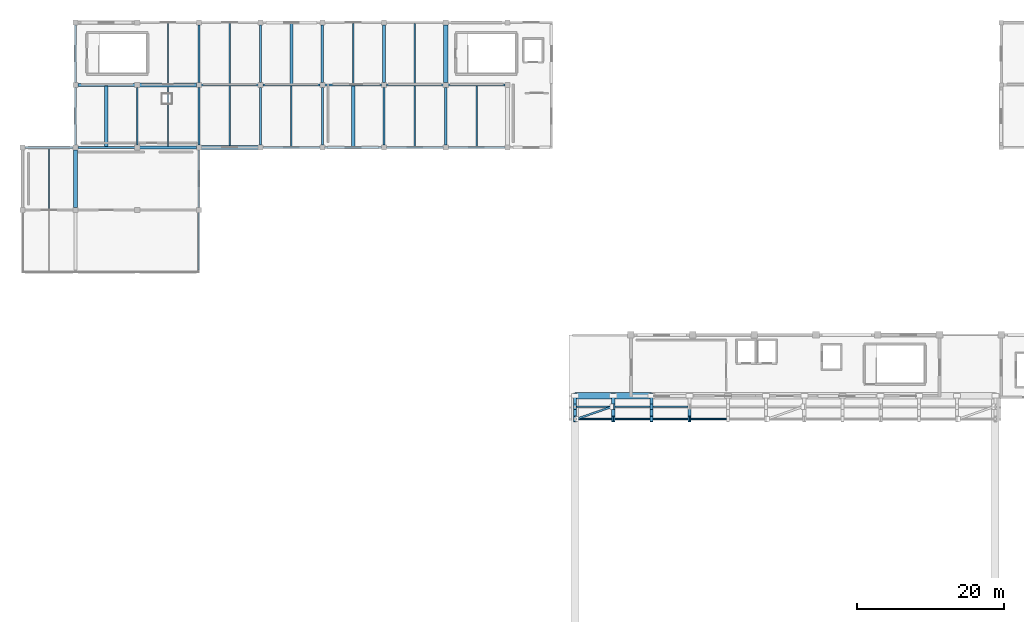
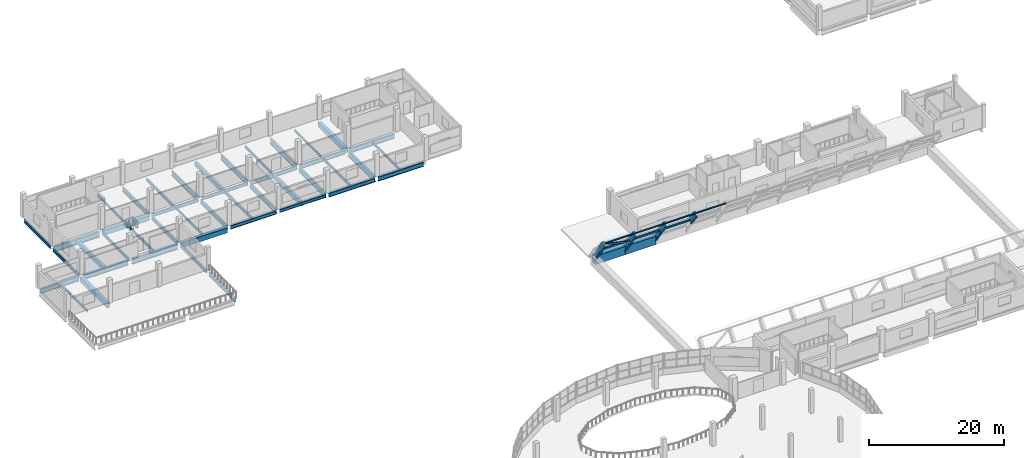
# One storey, part 30 of 52: 53 beams, 8 members.
"""IFC4 building model written with IfcOpenShell, lengths in metres."""

from ifc_helpers import new_model, si_unit, direction, frame, origin, origin_2d, place, context, subcontext, project, spatial, rectangle, hollow_rectangle, hollow_circle, i_section, extrude, material, material_profile, profile_set, type_object, element, save


model = new_model("IFC4")

# Units and contexts
model_context = context("Model", 3, precision=1e-05, world=origin(), true_north=direction((0.0, 1.0)))
body_context = subcontext(model_context, "Body", "Model", "MODEL_VIEW")
ifc_project = project(units=[si_unit("LENGTHUNIT", "METRE"), si_unit("AREAUNIT", "SQUARE_METRE"), si_unit("VOLUMEUNIT", "CUBIC_METRE"), si_unit("PLANEANGLEUNIT", "RADIAN"), si_unit("MASSUNIT", "GRAM", prefix="KILO")], contexts=[model_context])

# Site, building, storey
site_placement = place(None, origin())
site = spatial("IfcSite", under=ifc_project, at=site_placement, CompositionType="ELEMENT")
building_placement = place(site_placement, origin())
building = spatial("IfcBuilding", under=site, at=building_placement, Name="Solvento Point Concert Hall", CompositionType="ELEMENT")
storey_placement = place(building_placement, frame((0.0, 0.0, 19.5)))
storey = spatial("IfcBuildingStorey", under=building, at=storey_placement, Name="L04", CompositionType="ELEMENT", Elevation=19.5)

# Beams
ifc_material_1 = material(Name="Structural Steel ASTM A992 Grade 50", Category="steel")
ifc_material_profile_1 = material_profile(ifc_material_1, i_section(OverallWidth=0.423095703125, OverallDepth=0.947998046875, WebThickness=0.02392578125, FlangeThickness=0.042724609375, at=origin_2d()), Name="W36X302")
ifc_profile_set_1 = profile_set([ifc_material_profile_1], Name="Structural Steel ASTM A992 Grade 50")
beam_type_1 = type_object("IfcBeamType", Name="ArchRib_W36X302", PredefinedType="BEAM", material=ifc_profile_set_1)
beam_1_placement = place(storey_placement, frame((75.199951171875, 82.043701171875, 3.816650390625), z_axis=(0.0, 0.596003968317, -0.8029814878), x_axis=(-1.0, 0.0, 0.0)))
element("IfcBeam", 1, at=beam_1_placement, inside=storey, type_object=beam_type_1, Name="Steel arch rib AR-01 bay 1 seg 11", PredefinedType="BEAM", context=body_context, shape_type="SweptSolid", body=[
    extrude(i_section(OverallWidth=0.423095703125, OverallDepth=0.947998046875, WebThickness=0.02392578125, FlangeThickness=0.042724609375, at=origin_2d()), origin(), (0.0, 0.0, 1.0), 2.781494140625),
])
beam_2_placement = place(storey_placement, frame((75.199951171875, 83.701416015625, 1.583251953125), z_axis=(0.0, 0.557211589906, -0.830370546247), x_axis=(-1.0, 0.0, 0.0)))
element("IfcBeam", 2, at=beam_2_placement, inside=storey, type_object=beam_type_1, Name="Steel arch rib AR-01 bay 1 seg 12", PredefinedType="BEAM", context=body_context, shape_type="SweptSolid", body=[
    extrude(i_section(OverallWidth=0.423095703125, OverallDepth=0.947998046875, WebThickness=0.02392578125, FlangeThickness=0.042724609375, at=origin_2d()), origin(), (0.0, 0.0, 1.0), 2.689453125),
])
beam_3_placement = place(storey_placement, frame((80.39990234375, 82.043701171875, 3.816650390625), z_axis=(0.0, 0.596003968317, -0.8029814878), x_axis=(-1.0, 0.0, 0.0)))
element("IfcBeam", 3, at=beam_3_placement, inside=storey, type_object=beam_type_1, Name="Steel arch rib AR-01 bay 2 seg 11", PredefinedType="BEAM", context=body_context, shape_type="SweptSolid", body=[
    extrude(i_section(OverallWidth=0.423095703125, OverallDepth=0.947998046875, WebThickness=0.02392578125, FlangeThickness=0.042724609375, at=origin_2d()), origin(), (0.0, 0.0, 1.0), 2.781494140625),
])
beam_4_placement = place(storey_placement, frame((80.39990234375, 83.701416015625, 1.583251953125), z_axis=(0.0, 0.557211589906, -0.830370546247), x_axis=(-1.0, 0.0, 0.0)))
element("IfcBeam", 4, at=beam_4_placement, inside=storey, type_object=beam_type_1, Name="Steel arch rib AR-01 bay 2 seg 12", PredefinedType="BEAM", context=body_context, shape_type="SweptSolid", body=[
    extrude(i_section(OverallWidth=0.423095703125, OverallDepth=0.947998046875, WebThickness=0.02392578125, FlangeThickness=0.042724609375, at=origin_2d()), origin(), (0.0, 0.0, 1.0), 2.689453125),
])
beam_5_placement = place(storey_placement, frame((85.60009765625, 82.043701171875, 3.816650390625), z_axis=(0.0, 0.596003968317, -0.8029814878), x_axis=(-1.0, 0.0, 0.0)))
element("IfcBeam", 5, at=beam_5_placement, inside=storey, type_object=beam_type_1, Name="Steel arch rib AR-01 bay 3 seg 11", PredefinedType="BEAM", context=body_context, shape_type="SweptSolid", body=[
    extrude(i_section(OverallWidth=0.423095703125, OverallDepth=0.947998046875, WebThickness=0.02392578125, FlangeThickness=0.042724609375, at=origin_2d()), origin(), (0.0, 0.0, 1.0), 2.781494140625),
])
beam_6_placement = place(storey_placement, frame((85.60009765625, 83.701416015625, 1.583251953125), z_axis=(0.0, 0.557211589906, -0.830370546247), x_axis=(-1.0, 0.0, 0.0)))
element("IfcBeam", 6, at=beam_6_placement, inside=storey, type_object=beam_type_1, Name="Steel arch rib AR-01 bay 3 seg 12", PredefinedType="BEAM", context=body_context, shape_type="SweptSolid", body=[
    extrude(i_section(OverallWidth=0.423095703125, OverallDepth=0.947998046875, WebThickness=0.02392578125, FlangeThickness=0.042724609375, at=origin_2d()), origin(), (0.0, 0.0, 1.0), 2.689453125),
])
beam_7_placement = place(storey_placement, frame((90.800048828125, 82.043701171875, 3.816650390625), z_axis=(0.0, 0.596003968317, -0.8029814878), x_axis=(-1.0, 0.0, 0.0)))
element("IfcBeam", 7, at=beam_7_placement, inside=storey, type_object=beam_type_1, Name="Steel arch rib AR-01 bay 4 seg 11", PredefinedType="BEAM", context=body_context, shape_type="SweptSolid", body=[
    extrude(i_section(OverallWidth=0.423095703125, OverallDepth=0.947998046875, WebThickness=0.02392578125, FlangeThickness=0.042724609375, at=origin_2d()), origin(), (0.0, 0.0, 1.0), 2.781494140625),
])
ifc_material_2 = material(Name="Concrete C35/45", Category="concrete")
ifc_material_profile_2 = material_profile(ifc_material_2, rectangle(XDim=0.449951171875, YDim=0.75, at=origin_2d()), Name="RC-BM-450X750")
ifc_profile_set_2 = profile_set([ifc_material_profile_2], Name="Concrete C35/45")
beam_type_2 = type_object("IfcBeamType", Name="Beam_RC_450x750", PredefinedType="BEAM", material=ifc_profile_set_2)
beam_8_placement = place(storey_placement, frame((11.39990234375, 119.138916015625, -0.718994140625), z_axis=(0.0, 1.0, 0.0), x_axis=(-1.0, 0.0, 0.0)))
element("IfcBeam", 8, at=beam_8_placement, inside=storey, type_object=beam_type_2, Name="Secondary floor joist B-28 L04", PredefinedType="BEAM", context=body_context, shape_type="SweptSolid", body=[
    extrude(rectangle(XDim=0.449951171875, YDim=0.75, at=origin_2d()), origin(), (0.0, 0.0, 1.0), 8.195556640625),
])
for number, where, z_axis, x_axis, name in (
    (9, (36.60009765625, 127.592041015625, -0.718994140625), (0.0, 1.0, 0.0), (-1.0, 0.0, 0.0), "Secondary floor joist B-28 L04"),
    (10, (45.0, 119.092041015625, -0.718994140625), (0.0, 1.0, 0.0), (-1.0, 0.0, 0.0), "Secondary floor joist B-28 L04"),
):
    element("IfcBeam", number, at=place(storey_placement, frame(where, z_axis=z_axis, x_axis=x_axis)), inside=storey, type_object=beam_type_2, Name=name, PredefinedType="BEAM", context=body_context, shape_type="SweptSolid", body=[
        extrude(rectangle(XDim=0.449951171875, YDim=0.75, at=origin_2d()), origin(), (0.0, 0.0, 1.0), 8.294921875),
    ])
ifc_material_3 = material(Name="Structural Steel ASTM A992 Grade 50", Category="steel")
ifc_material_profile_3 = material_profile(ifc_material_3, i_section(OverallWidth=0.20947265625, OverallDepth=0.532958984375, WebThickness=0.01025390625, FlangeThickness=0.015625, at=origin_2d()), Name="W21X62")
ifc_profile_set_3 = profile_set([ifc_material_profile_3], Name="Structural Steel ASTM A992 Grade 50")
beam_type_3 = type_object("IfcBeamType", Name="Beam_W21X62", PredefinedType="BEAM", material=ifc_profile_set_3)
for number, where, z_axis, x_axis, name in (
    (11, (28.199951171875, 127.59912109375, -0.610595703125), (0.0, 1.0, 0.0), (-1.0, 0.0, 0.0), "Secondary floor joist B-25 L04"),
    (12, (36.60009765625, 119.09912109375, -0.610595703125), (0.0, 1.0, 0.0), (-1.0, 0.0, 0.0), "Secondary floor joist B-25 L04"),
):
    element("IfcBeam", number, at=place(storey_placement, frame(where, z_axis=z_axis, x_axis=x_axis)), inside=storey, type_object=beam_type_3, Name=name, PredefinedType="BEAM", context=body_context, shape_type="SweptSolid", body=[
        extrude(i_section(OverallWidth=0.20947265625, OverallDepth=0.532958984375, WebThickness=0.01025390625, FlangeThickness=0.015625, at=origin_2d()), origin(), (0.0, 0.0, 1.0), 8.308837890625),
    ])
ifc_material_4 = material(Name="Structural Steel ASTM A992 Grade 50", Category="steel")
ifc_material_profile_4 = material_profile(ifc_material_4, i_section(OverallWidth=0.214111328125, OverallDepth=0.549072265625, WebThickness=0.0146484375, FlangeThickness=0.023681640625, at=origin_2d()), Name="W21X93")
ifc_profile_set_4 = profile_set([ifc_material_profile_4], Name="Structural Steel ASTM A992 Grade 50")
beam_type_4 = type_object("IfcBeamType", Name="Beam_W21X93", PredefinedType="BEAM", material=ifc_profile_set_4)
beam_9_placement = place(storey_placement, frame((41.118896484375, 119.0, -0.618408203125), z_axis=(1.0, 0.0, 0.0), x_axis=(0.0, 1.0, 0.0)))
element("IfcBeam", 13, at=beam_9_placement, inside=storey, type_object=beam_type_4, Name="Primary girder B-48 L04", PredefinedType="BEAM", context=body_context, shape_type="SweptSolid", body=[
    extrude(i_section(OverallWidth=0.214111328125, OverallDepth=0.549072265625, WebThickness=0.0146484375, FlangeThickness=0.023681640625, at=origin_2d()), origin(), (0.0, 0.0, 1.0), 7.76220703125),
])
beam_10_placement = place(storey_placement, frame((32.718994140625, 127.5, -0.618408203125), z_axis=(1.0, 0.0, 0.0), x_axis=(0.0, 1.0, 0.0)))
element("IfcBeam", 14, at=beam_10_placement, inside=storey, type_object=beam_type_4, Name="Primary girder B-48 L04", PredefinedType="BEAM", context=body_context, shape_type="SweptSolid", body=[
    extrude(i_section(OverallWidth=0.214111328125, OverallDepth=0.549072265625, WebThickness=0.0146484375, FlangeThickness=0.023681640625, at=origin_2d()), origin(), (0.0, 0.0, 1.0), 7.761962890625),
])
for number, where, z_axis, x_axis, name in (
    (15, (7.199951171875, 127.819091796875, -0.618408203125), (0.0, 1.0, 0.0), (-1.0, 0.0, 0.0), "Primary girder B-48 L04"),
    (16, (15.60009765625, 119.319091796875, -0.618408203125), (0.0, 1.0, 0.0), (-1.0, 0.0, 0.0), "Primary girder B-48 L04"),
    (17, (24.0, 110.819091796875, -0.618408203125), (0.0, 1.0, 0.0), (-1.0, 0.0, 0.0), "Primary girder B-48 L04"),
):
    element("IfcBeam", number, at=place(storey_placement, frame(where, z_axis=z_axis, x_axis=x_axis)), inside=storey, type_object=beam_type_4, Name=name, PredefinedType="BEAM", context=body_context, shape_type="SweptSolid", body=[
        extrude(i_section(OverallWidth=0.214111328125, OverallDepth=0.549072265625, WebThickness=0.0146484375, FlangeThickness=0.023681640625, at=origin_2d()), origin(), (0.0, 0.0, 1.0), 7.86181640625),
    ])
ifc_material_5 = material(Name="Structural Steel ASTM A992 Grade 50", Category="steel")
ifc_material_profile_5 = material_profile(ifc_material_5, i_section(OverallWidth=0.228515625, OverallDepth=0.60791015625, WebThickness=0.01123046875, FlangeThickness=0.017333984375, at=origin_2d()), Name="W24X76")
ifc_profile_set_5 = profile_set([ifc_material_profile_5], Name="Structural Steel ASTM A992 Grade 50")
beam_type_5 = type_object("IfcBeamType", Name="Beam_W24X76", PredefinedType="BEAM", material=ifc_profile_set_5)
for number, where, z_axis, x_axis, name in (
    (18, (32.718994140625, 119.0, -0.64794921875), (1.0, 0.0, 0.0), (0.0, 1.0, 0.0), "Primary girder B-42 L04"),
    (19, (24.319091796875, 127.5, -0.64794921875), (1.0, 0.0, 0.0), (0.0, 1.0, 0.0), "Primary girder B-42 L04"),
):
    element("IfcBeam", number, at=place(storey_placement, frame(where, z_axis=z_axis, x_axis=x_axis)), inside=storey, type_object=beam_type_5, Name=name, PredefinedType="BEAM", context=body_context, shape_type="SweptSolid", body=[
        extrude(i_section(OverallWidth=0.228515625, OverallDepth=0.60791015625, WebThickness=0.01123046875, FlangeThickness=0.017333984375, at=origin_2d()), origin(), (0.0, 0.0, 1.0), 7.761962890625),
    ])
for number, where, z_axis, x_axis, name in (
    (20, (7.199951171875, 119.319091796875, -0.64794921875), (0.0, 1.0, 0.0), (-1.0, 0.0, 0.0), "Primary girder B-42 L04"),
    (21, (24.0, 102.319091796875, -0.597900390625), (0.0, 1.0, 0.0), (-1.0, 0.0, 0.0), "Primary girder B-42 L04"),
):
    element("IfcBeam", number, at=place(storey_placement, frame(where, z_axis=z_axis, x_axis=x_axis)), inside=storey, type_object=beam_type_5, Name=name, PredefinedType="BEAM", context=body_context, shape_type="SweptSolid", body=[
        extrude(i_section(OverallWidth=0.228515625, OverallDepth=0.60791015625, WebThickness=0.01123046875, FlangeThickness=0.017333984375, at=origin_2d()), origin(), (0.0, 0.0, 1.0), 7.86181640625),
    ])
ifc_material_6 = material(Name="Concrete C40/50", Category="concrete")
ifc_material_profile_6 = material_profile(ifc_material_6, rectangle(XDim=0.89990234375, YDim=1.5, at=origin_2d()), Name="RC-ERB-900X1500")
ifc_profile_set_6 = profile_set([ifc_material_profile_6], Name="Concrete C40/50")
beam_type_6 = type_object("IfcBeamType", Name="EdgeRingBeam_900x1500", PredefinedType="SPANDREL", material=ifc_profile_set_6)
beam_11_placement = place(storey_placement, frame((75.199951171875, 85.199951171875, -0.75), z_axis=(1.0, 0.0, 0.0), x_axis=(0.0, 1.0, 0.0)))
element("IfcBeam", 22, at=beam_11_placement, inside=storey, type_object=beam_type_6, Name="Edge ring beam ERB-01 N-01", PredefinedType="SPANDREL", context=body_context, shape_type="SweptSolid", body=[
    extrude(rectangle(XDim=0.89990234375, YDim=1.5, at=origin_2d()), origin(), (0.0, 0.0, 1.0), 5.199951171875),
])
beam_12_placement = place(storey_placement, frame((80.39990234375, 85.199951171875, -0.75), z_axis=(1.0, 0.0, 0.0), x_axis=(0.0, 1.0, 0.0)))
element("IfcBeam", 23, at=beam_12_placement, inside=storey, type_object=beam_type_6, Name="Edge ring beam ERB-01 N-02", PredefinedType="SPANDREL", context=body_context, shape_type="SweptSolid", body=[
    extrude(rectangle(XDim=0.89990234375, YDim=1.5, at=origin_2d()), origin(), (0.0, 0.0, 1.0), 5.2001953125),
])
ifc_material_7 = material(Name="Concrete C35/45", Category="concrete")
ifc_material_profile_7 = material_profile(ifc_material_7, rectangle(XDim=0.550048828125, YDim=0.89990234375, at=origin_2d()), Name="RC-BM-550X900")
ifc_profile_set_7 = profile_set([ifc_material_profile_7], Name="Concrete C35/45")
beam_type_7 = type_object("IfcBeamType", Name="Girder_RC_550x900", PredefinedType="USERDEFINED", material=ifc_profile_set_7)
for number, where, z_axis, x_axis, name in (
    (24, (24.319091796875, 119.0, -0.7939453125), (1.0, 0.0, 0.0), (0.0, 1.0, 0.0), "Primary girder B-39 L04"),
    (25, (15.9189453125, 127.5, -0.7939453125), (1.0, 0.0, 0.0), (0.0, 1.0, 0.0), "Primary girder B-39 L04"),
):
    element("IfcBeam", number, at=place(storey_placement, frame(where, z_axis=z_axis, x_axis=x_axis)), inside=storey, type_object=beam_type_7, Name=name, ObjectType="GIRDER", PredefinedType="USERDEFINED", context=body_context, shape_type="SweptSolid", body=[
        extrude(rectangle(XDim=0.550048828125, YDim=0.89990234375, at=origin_2d()), origin(), (0.0, 0.0, 1.0), 7.761962890625),
    ])
for number, where, z_axis, x_axis, name in (
    (26, (7.199951171875, 110.819091796875, -0.7939453125), (0.0, 1.0, 0.0), (-1.0, 0.0, 0.0), "Primary girder B-39 L04"),
    (27, (57.60009765625, 127.819091796875, -0.7939453125), (0.0, 1.0, 0.0), (-1.0, 0.0, 0.0), "Primary girder B-39 L04"),
):
    element("IfcBeam", number, at=place(storey_placement, frame(where, z_axis=z_axis, x_axis=x_axis)), inside=storey, type_object=beam_type_7, Name=name, ObjectType="GIRDER", PredefinedType="USERDEFINED", context=body_context, shape_type="SweptSolid", body=[
        extrude(rectangle(XDim=0.550048828125, YDim=0.89990234375, at=origin_2d()), origin(), (0.0, 0.0, 1.0), 7.86181640625),
    ])
ifc_material_8 = material(Name="Structural Steel ASTM A992 Grade 50", Category="steel")
ifc_material_profile_8 = material_profile(ifc_material_8, i_section(OverallWidth=0.256103515625, OverallDepth=0.693115234375, WebThickness=0.014404296875, FlangeThickness=0.023681640625, at=origin_2d()), Name="W27X114")
ifc_profile_set_8 = profile_set([ifc_material_profile_8], Name="Structural Steel ASTM A992 Grade 50")
beam_type_8 = type_object("IfcBeamType", Name="Girder_W27X114", PredefinedType="USERDEFINED", material=ifc_profile_set_8)
beam_13_placement = place(storey_placement, frame((49.51904296875, 119.0, -0.6904296875), z_axis=(1.0, 0.0, 0.0), x_axis=(0.0, 1.0, 0.0)))
element("IfcBeam", 28, at=beam_13_placement, inside=storey, type_object=beam_type_8, Name="Primary girder B-23 L04", ObjectType="GIRDER", PredefinedType="USERDEFINED", context=body_context, shape_type="SweptSolid", body=[
    extrude(i_section(OverallWidth=0.256103515625, OverallDepth=0.693115234375, WebThickness=0.014404296875, FlangeThickness=0.023681640625, at=origin_2d()), origin(), (0.0, 0.0, 1.0), 7.761962890625),
])
beam_14_placement = place(storey_placement, frame((41.118896484375, 127.5, -0.6904296875), z_axis=(1.0, 0.0, 0.0), x_axis=(0.0, 1.0, 0.0)))
element("IfcBeam", 29, at=beam_14_placement, inside=storey, type_object=beam_type_8, Name="Primary girder B-23 L04", ObjectType="GIRDER", PredefinedType="USERDEFINED", context=body_context, shape_type="SweptSolid", body=[
    extrude(i_section(OverallWidth=0.256103515625, OverallDepth=0.693115234375, WebThickness=0.014404296875, FlangeThickness=0.023681640625, at=origin_2d()), origin(), (0.0, 0.0, 1.0), 7.76220703125),
])
beam_15_placement = place(storey_placement, frame((24.0, 119.319091796875, -0.6904296875), z_axis=(0.0, 1.0, 0.0), x_axis=(-1.0, 0.0, 0.0)))
element("IfcBeam", 30, at=beam_15_placement, inside=storey, type_object=beam_type_8, Name="Primary girder B-23 L04", ObjectType="GIRDER", PredefinedType="USERDEFINED", context=body_context, shape_type="SweptSolid", body=[
    extrude(i_section(OverallWidth=0.256103515625, OverallDepth=0.693115234375, WebThickness=0.014404296875, FlangeThickness=0.023681640625, at=origin_2d()), origin(), (0.0, 0.0, 1.0), 7.86181640625),
])
ifc_material_9 = material(Name="Structural Steel ASTM A992 Grade 50", Category="steel")
ifc_material_profile_9 = material_profile(ifc_material_9, i_section(OverallWidth=0.26806640625, OverallDepth=0.77001953125, WebThickness=0.015625, FlangeThickness=0.025390625, at=origin_2d()), Name="W30X132")
ifc_profile_set_9 = profile_set([ifc_material_profile_9], Name="Structural Steel ASTM A992 Grade 50")
beam_type_9 = type_object("IfcBeamType", Name="Girder_W30X132", PredefinedType="USERDEFINED", material=ifc_profile_set_9)
for number, where, z_axis, x_axis, name in (
    (31, (57.9189453125, 119.0, -0.72900390625), (1.0, 0.0, 0.0), (0.0, 1.0, 0.0), "Primary girder B-68 L04"),
    (32, (49.51904296875, 127.5, -0.72900390625), (1.0, 0.0, 0.0), (0.0, 1.0, 0.0), "Primary girder B-68 L04"),
):
    element("IfcBeam", number, at=place(storey_placement, frame(where, z_axis=z_axis, x_axis=x_axis)), inside=storey, type_object=beam_type_9, Name=name, ObjectType="GIRDER", PredefinedType="USERDEFINED", context=body_context, shape_type="SweptSolid", body=[
        extrude(i_section(OverallWidth=0.26806640625, OverallDepth=0.77001953125, WebThickness=0.015625, FlangeThickness=0.025390625, at=origin_2d()), origin(), (0.0, 0.0, 1.0), 7.761962890625),
    ])
for number, where, z_axis, x_axis, name in (
    (33, (24.0, 127.819091796875, -0.72900390625), (0.0, 1.0, 0.0), (-1.0, 0.0, 0.0), "Primary girder B-68 L04"),
    (34, (32.39990234375, 119.319091796875, -0.72900390625), (0.0, 1.0, 0.0), (-1.0, 0.0, 0.0), "Primary girder B-68 L04"),
):
    element("IfcBeam", number, at=place(storey_placement, frame(where, z_axis=z_axis, x_axis=x_axis)), inside=storey, type_object=beam_type_9, Name=name, ObjectType="GIRDER", PredefinedType="USERDEFINED", context=body_context, shape_type="SweptSolid", body=[
        extrude(i_section(OverallWidth=0.26806640625, OverallDepth=0.77001953125, WebThickness=0.015625, FlangeThickness=0.025390625, at=origin_2d()), origin(), (0.0, 0.0, 1.0), 7.86181640625),
    ])
ifc_material_10 = material(Name="Structural Steel ASTM A992 Grade 50", Category="steel")
ifc_material_profile_10 = material_profile(ifc_material_10, i_section(OverallWidth=0.2919921875, OverallDepth=0.85888671875, WebThickness=0.01708984375, FlangeThickness=0.031005859375, at=origin_2d()), Name="W33X169")
ifc_profile_set_10 = profile_set([ifc_material_profile_10], Name="Structural Steel ASTM A992 Grade 50")
beam_type_10 = type_object("IfcBeamType", Name="Girder_W33X169", PredefinedType="USERDEFINED", material=ifc_profile_set_10)
beam_16_placement = place(storey_placement, frame((0.319091796875, 119.0, -0.7734375), z_axis=(1.0, 0.0, 0.0), x_axis=(0.0, 1.0, 0.0)))
element("IfcBeam", 35, at=beam_16_placement, inside=storey, type_object=beam_type_10, Name="Primary girder B-33 L04", ObjectType="GIRDER", PredefinedType="USERDEFINED", context=body_context, shape_type="SweptSolid", body=[
    extrude(i_section(OverallWidth=0.2919921875, OverallDepth=0.85888671875, WebThickness=0.01708984375, FlangeThickness=0.031005859375, at=origin_2d()), origin(), (0.0, 0.0, 1.0), 6.56201171875),
])
beam_17_placement = place(storey_placement, frame((57.9189453125, 127.5, -0.7734375), z_axis=(1.0, 0.0, 0.0), x_axis=(0.0, 1.0, 0.0)))
element("IfcBeam", 36, at=beam_17_placement, inside=storey, type_object=beam_type_10, Name="Primary girder B-33 L04", ObjectType="GIRDER", PredefinedType="USERDEFINED", context=body_context, shape_type="SweptSolid", body=[
    extrude(i_section(OverallWidth=0.2919921875, OverallDepth=0.85888671875, WebThickness=0.01708984375, FlangeThickness=0.031005859375, at=origin_2d()), origin(), (0.0, 0.0, 1.0), 7.761962890625),
])
for number, where, z_axis, x_axis, name in (
    (37, (32.39990234375, 127.819091796875, -0.7734375), (0.0, 1.0, 0.0), (-1.0, 0.0, 0.0), "Primary girder B-33 L04"),
    (38, (40.800048828125, 119.319091796875, -0.7734375), (0.0, 1.0, 0.0), (-1.0, 0.0, 0.0), "Primary girder B-33 L04"),
):
    element("IfcBeam", number, at=place(storey_placement, frame(where, z_axis=z_axis, x_axis=x_axis)), inside=storey, type_object=beam_type_10, Name=name, ObjectType="GIRDER", PredefinedType="USERDEFINED", context=body_context, shape_type="SweptSolid", body=[
        extrude(i_section(OverallWidth=0.2919921875, OverallDepth=0.85888671875, WebThickness=0.01708984375, FlangeThickness=0.031005859375, at=origin_2d()), origin(), (0.0, 0.0, 1.0), 7.86181640625),
    ])
ifc_material_11 = material(Name="Structural Steel ASTM A992 Grade 50", Category="steel")
ifc_material_profile_11 = material_profile(ifc_material_11, i_section(OverallWidth=0.3076171875, OverallDepth=0.927001953125, WebThickness=0.019287109375, FlangeThickness=0.031982421875, at=origin_2d()), Name="W36X194")
ifc_profile_set_11 = profile_set([ifc_material_profile_11], Name="Structural Steel ASTM A992 Grade 50")
beam_type_11 = type_object("IfcBeamType", Name="Girder_W36X194", PredefinedType="USERDEFINED", material=ifc_profile_set_11)
beam_18_placement = place(storey_placement, frame((7.51904296875, 119.0, -0.8076171875), z_axis=(1.0, 0.0, 0.0), x_axis=(0.0, 1.0, 0.0)))
element("IfcBeam", 39, at=beam_18_placement, inside=storey, type_object=beam_type_11, Name="Primary girder B-61 L04", ObjectType="GIRDER", PredefinedType="USERDEFINED", context=body_context, shape_type="SweptSolid", body=[
    extrude(i_section(OverallWidth=0.3076171875, OverallDepth=0.927001953125, WebThickness=0.019287109375, FlangeThickness=0.031982421875, at=origin_2d()), origin(), (0.0, 0.0, 1.0), 7.761962890625),
])
for number, where, z_axis, x_axis, name in (
    (40, (40.800048828125, 127.819091796875, -0.8076171875), (0.0, 1.0, 0.0), (-1.0, 0.0, 0.0), "Primary girder B-61 L04"),
    (41, (49.199951171875, 119.319091796875, -0.8076171875), (0.0, 1.0, 0.0), (-1.0, 0.0, 0.0), "Primary girder B-61 L04"),
):
    element("IfcBeam", number, at=place(storey_placement, frame(where, z_axis=z_axis, x_axis=x_axis)), inside=storey, type_object=beam_type_11, Name=name, ObjectType="GIRDER", PredefinedType="USERDEFINED", context=body_context, shape_type="SweptSolid", body=[
        extrude(i_section(OverallWidth=0.3076171875, OverallDepth=0.927001953125, WebThickness=0.019287109375, FlangeThickness=0.031982421875, at=origin_2d()), origin(), (0.0, 0.0, 1.0), 7.86181640625),
    ])
ifc_material_12 = material(Name="Structural Steel ASTM A992 Grade 50", Category="steel")
ifc_material_profile_12 = material_profile(ifc_material_12, i_section(OverallWidth=0.361083984375, OverallDepth=1.02587890625, WebThickness=0.01904296875, FlangeThickness=0.0361328125, at=origin_2d()), Name="W40X249")
ifc_profile_set_12 = profile_set([ifc_material_profile_12], Name="Structural Steel ASTM A992 Grade 50")
beam_type_12 = type_object("IfcBeamType", Name="Girder_W40X249", PredefinedType="USERDEFINED", material=ifc_profile_set_12)
for number, where, z_axis, x_axis, name in (
    (42, (15.9189453125, 119.0, -0.85693359375), (1.0, 0.0, 0.0), (0.0, 1.0, 0.0), "Primary girder B-29 L04"),
    (43, (7.51904296875, 127.5, -0.85693359375), (1.0, 0.0, 0.0), (0.0, 1.0, 0.0), "Primary girder B-29 L04"),
):
    element("IfcBeam", number, at=place(storey_placement, frame(where, z_axis=z_axis, x_axis=x_axis)), inside=storey, type_object=beam_type_12, Name=name, ObjectType="GIRDER", PredefinedType="USERDEFINED", context=body_context, shape_type="SweptSolid", body=[
        extrude(i_section(OverallWidth=0.361083984375, OverallDepth=1.02587890625, WebThickness=0.01904296875, FlangeThickness=0.0361328125, at=origin_2d()), origin(), (0.0, 0.0, 1.0), 7.761962890625),
    ])
for number, where, z_axis, x_axis, name in (
    (44, (49.199951171875, 127.819091796875, -0.85693359375), (0.0, 1.0, 0.0), (-1.0, 0.0, 0.0), "Primary girder B-29 L04"),
    (45, (57.60009765625, 119.319091796875, -0.85693359375), (0.0, 1.0, 0.0), (-1.0, 0.0, 0.0), "Primary girder B-29 L04"),
):
    element("IfcBeam", number, at=place(storey_placement, frame(where, z_axis=z_axis, x_axis=x_axis)), inside=storey, type_object=beam_type_12, Name=name, ObjectType="GIRDER", PredefinedType="USERDEFINED", context=body_context, shape_type="SweptSolid", body=[
        extrude(i_section(OverallWidth=0.361083984375, OverallDepth=1.02587890625, WebThickness=0.01904296875, FlangeThickness=0.0361328125, at=origin_2d()), origin(), (0.0, 0.0, 1.0), 7.86181640625),
    ])
ifc_material_13 = material(Name="Structural Steel ASTM A992 Grade 50", Category="steel")
ifc_material_profile_13 = material_profile(ifc_material_13, i_section(OverallWidth=0.177490234375, OverallDepth=0.403076171875, WebThickness=0.007568359375, FlangeThickness=0.010986328125, at=origin_2d()), Name="W16X36")
ifc_profile_set_13 = profile_set([ifc_material_profile_13], Name="Structural Steel ASTM A992 Grade 50")
beam_type_13 = type_object("IfcBeamType", Name="Joist_W16X36", PredefinedType="JOIST", material=ifc_profile_set_13)
beam_19_placement = place(storey_placement, frame((3.60009765625, 110.618896484375, -0.54541015625), z_axis=(0.0, 1.0, 0.0), x_axis=(-1.0, 0.0, 0.0)))
element("IfcBeam", 46, at=beam_19_placement, inside=storey, type_object=beam_type_13, Name="Secondary floor joist B-30 L04", PredefinedType="JOIST", context=body_context, shape_type="SweptSolid", body=[
    extrude(i_section(OverallWidth=0.177490234375, OverallDepth=0.403076171875, WebThickness=0.007568359375, FlangeThickness=0.010986328125, at=origin_2d()), origin(), (0.0, 0.0, 1.0), 8.25),
])
beam_20_placement = place(storey_placement, frame((19.800048828125, 127.760009765625, -0.54541015625), z_axis=(0.0, 1.0, 0.0), x_axis=(-1.0, 0.0, 0.0)))
element("IfcBeam", 47, at=beam_20_placement, inside=storey, type_object=beam_type_13, Name="Secondary floor joist B-30 L04", PredefinedType="JOIST", context=body_context, shape_type="SweptSolid", body=[
    extrude(i_section(OverallWidth=0.177490234375, OverallDepth=0.403076171875, WebThickness=0.007568359375, FlangeThickness=0.010986328125, at=origin_2d()), origin(), (0.0, 0.0, 1.0), 8.140625),
])
beam_21_placement = place(storey_placement, frame((28.199951171875, 119.260009765625, -0.54541015625), z_axis=(0.0, 1.0, 0.0), x_axis=(-1.0, 0.0, 0.0)))
element("IfcBeam", 48, at=beam_21_placement, inside=storey, type_object=beam_type_13, Name="Secondary floor joist B-30 L04", PredefinedType="JOIST", context=body_context, shape_type="SweptSolid", body=[
    extrude(i_section(OverallWidth=0.177490234375, OverallDepth=0.403076171875, WebThickness=0.007568359375, FlangeThickness=0.010986328125, at=origin_2d()), origin(), (0.0, 0.0, 1.0), 8.140869140625),
])
for number, where, z_axis, x_axis, name in (
    (49, (53.39990234375, 127.618896484375, -0.54541015625), (0.0, 1.0, 0.0), (-1.0, 0.0, 0.0), "Secondary floor joist B-30 L04"),
    (50, (61.800048828125, 119.118896484375, -0.54541015625), (0.0, 1.0, 0.0), (-1.0, 0.0, 0.0), "Secondary floor joist B-30 L04"),
):
    element("IfcBeam", number, at=place(storey_placement, frame(where, z_axis=z_axis, x_axis=x_axis)), inside=storey, type_object=beam_type_13, Name=name, PredefinedType="JOIST", context=body_context, shape_type="SweptSolid", body=[
        extrude(i_section(OverallWidth=0.177490234375, OverallDepth=0.403076171875, WebThickness=0.007568359375, FlangeThickness=0.010986328125, at=origin_2d()), origin(), (0.0, 0.0, 1.0), 8.25),
    ])
ifc_material_14 = material(Name="Structural Steel ASTM A992 Grade 50", Category="steel")
ifc_material_profile_14 = material_profile(ifc_material_14, i_section(OverallWidth=0.1904296875, OverallDepth=0.45703125, WebThickness=0.009033203125, FlangeThickness=0.014404296875, at=origin_2d()), Name="W18X50")
ifc_profile_set_14 = profile_set([ifc_material_profile_14], Name="Structural Steel ASTM A992 Grade 50")
beam_type_14 = type_object("IfcBeamType", Name="Joist_W18X50", PredefinedType="JOIST", material=ifc_profile_set_14)
beam_22_placement = place(storey_placement, frame((19.800048828125, 119.16552734375, -0.572509765625), z_axis=(0.0, 1.0, 0.0), x_axis=(-1.0, 0.0, 0.0)))
element("IfcBeam", 51, at=beam_22_placement, inside=storey, type_object=beam_type_14, Name="Secondary floor joist B-66 L04", PredefinedType="JOIST", context=body_context, shape_type="SweptSolid", body=[
    extrude(i_section(OverallWidth=0.1904296875, OverallDepth=0.45703125, WebThickness=0.009033203125, FlangeThickness=0.014404296875, at=origin_2d()), origin(), (0.0, 0.0, 1.0), 8.074462890625),
])
for number, where, z_axis, x_axis, name in (
    (52, (45.0, 127.613037109375, -0.572509765625), (0.0, 1.0, 0.0), (-1.0, 0.0, 0.0), "Secondary floor joist B-66 L04"),
    (53, (53.39990234375, 119.113037109375, -0.572509765625), (0.0, 1.0, 0.0), (-1.0, 0.0, 0.0), "Secondary floor joist B-66 L04"),
):
    element("IfcBeam", number, at=place(storey_placement, frame(where, z_axis=z_axis, x_axis=x_axis)), inside=storey, type_object=beam_type_14, Name=name, PredefinedType="JOIST", context=body_context, shape_type="SweptSolid", body=[
        extrude(i_section(OverallWidth=0.1904296875, OverallDepth=0.45703125, WebThickness=0.009033203125, FlangeThickness=0.014404296875, at=origin_2d()), origin(), (0.0, 0.0, 1.0), 8.26806640625),
    ])

# Members
ifc_material_15 = material(Name="Structural Steel ASTM A500 Grade C", Category="steel")
ifc_material_profile_15 = material_profile(ifc_material_15, hollow_rectangle(XDim=0.25390625, YDim=0.25390625, WallThickness=0.01171875, at=origin_2d()), Name="HSS10X10X1/2")
ifc_profile_set_15 = profile_set([ifc_material_profile_15], Name="Structural Steel ASTM A500 Grade C")
member_type_1 = type_object("IfcMemberType", Name="ShellBrace_HSS10", PredefinedType="BRACE", material=ifc_profile_set_15)
member_1_placement = place(storey_placement, frame((75.41162109375, 82.043701171875, 3.816650390625), z_axis=(0.864181511654, 0.299897396715, -0.40404438662), x_axis=(-0.3278500994, 0.944729756239, 0.0)))
element("IfcMember", 54, at=member_1_placement, inside=storey, type_object=member_type_1, Name="Acoustic shell lateral brace M", PredefinedType="BRACE", context=body_context, shape_type="SweptSolid", body=[
    extrude(hollow_rectangle(XDim=0.25390625, YDim=0.25390625, WallThickness=0.01171875, at=origin_2d()), origin(), (0.0, 0.0, 1.0), 5.527587890625),
])
ifc_material_16 = material(Name="Structural Steel ASTM A500 Grade C", Category="steel")
ifc_material_profile_16 = material_profile(ifc_material_16, hollow_circle(Radius=0.136474609375, WallThickness=0.012451171875, at=origin_2d()), Name="CHS273X12.5")
ifc_profile_set_16 = profile_set([ifc_material_profile_16], Name="Structural Steel ASTM A500 Grade C")
member_type_2 = type_object("IfcMemberType", Name="ShellPurlin_CHS273", PredefinedType="PURLIN", material=ifc_profile_set_16)
for number, where, z_axis, x_axis, name in (
    (55, (75.215087890625, 82.043701171875, 3.98681640625), (1.0, 0.0, 0.0), (0.0, 1.0, 0.0), "Acoustic shell steel purlin M-54"),
    (56, (80.4150390625, 82.043701171875, 3.98681640625), (1.0, 0.0, 0.0), (0.0, 1.0, 0.0), "Acoustic shell steel purlin M-54"),
    (57, (85.614990234375, 82.043701171875, 3.98681640625), (1.0, 0.0, 0.0), (0.0, 1.0, 0.0), "Acoustic shell steel purlin M-54"),
):
    element("IfcMember", number, at=place(storey_placement, frame(where, z_axis=z_axis, x_axis=x_axis)), inside=storey, type_object=member_type_2, Name=name, PredefinedType="PURLIN", context=body_context, shape_type="SweptSolid", body=[
        extrude(hollow_circle(Radius=0.136474609375, WallThickness=0.012451171875, at=origin_2d()), origin(), (0.0, 0.0, 1.0), 5.169921875),
    ])
member_2_placement = place(storey_placement, frame((90.81494140625, 82.043701171875, 3.98681640625), z_axis=(1.0, 0.0, 0.0), x_axis=(0.0, 1.0, 0.0)))
element("IfcMember", 58, at=member_2_placement, inside=storey, type_object=member_type_2, Name="Acoustic shell steel purlin M-54", PredefinedType="PURLIN", context=body_context, shape_type="SweptSolid", body=[
    extrude(hollow_circle(Radius=0.136474609375, WallThickness=0.012451171875, at=origin_2d()), origin(), (0.0, 0.0, 1.0), 5.170166015625),
])
ifc_material_17 = material(Name="Structural Steel ASTM A500 Grade C", Category="steel")
ifc_material_profile_17 = material_profile(ifc_material_17, hollow_rectangle(XDim=0.25390625, YDim=0.25390625, WallThickness=0.01171875, at=origin_2d()), Name="HSS10X10X1/2")
ifc_profile_set_17 = profile_set([ifc_material_profile_17], Name="Structural Steel ASTM A500 Grade C")
member_type_3 = type_object("IfcMemberType", Name="ShellPurlin_HSS10", PredefinedType="PURLIN", material=ifc_profile_set_17)
for number, where, z_axis, x_axis, name in (
    (59, (75.215087890625, 83.701416015625, 1.75341796875), (1.0, 0.0, 0.0), (0.0, 1.0, 0.0), "Acoustic shell steel purlin M-49"),
    (60, (80.4150390625, 83.701416015625, 1.75341796875), (1.0, 0.0, 0.0), (0.0, 1.0, 0.0), "Acoustic shell steel purlin M-49"),
    (61, (85.614990234375, 83.701416015625, 1.75341796875), (1.0, 0.0, 0.0), (0.0, 1.0, 0.0), "Acoustic shell steel purlin M-49"),
):
    element("IfcMember", number, at=place(storey_placement, frame(where, z_axis=z_axis, x_axis=x_axis)), inside=storey, type_object=member_type_3, Name=name, PredefinedType="PURLIN", context=body_context, shape_type="SweptSolid", body=[
        extrude(hollow_rectangle(XDim=0.25390625, YDim=0.25390625, WallThickness=0.01171875, at=origin_2d()), origin(), (0.0, 0.0, 1.0), 5.169921875),
    ])

save(model, "model.ifc")
